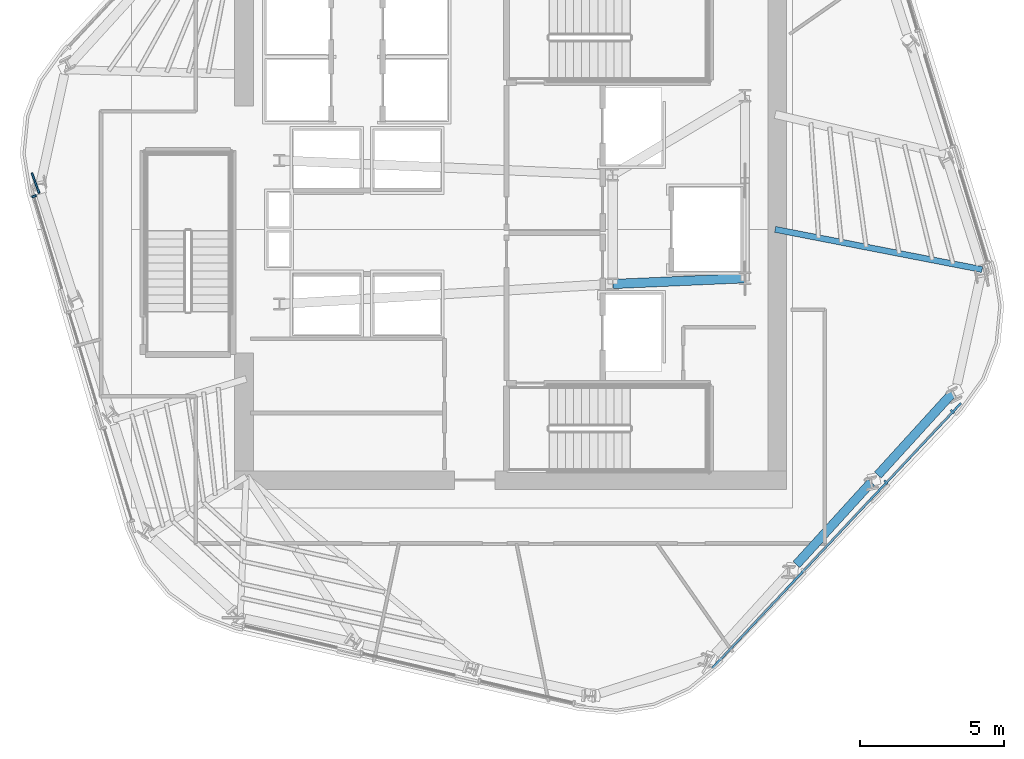
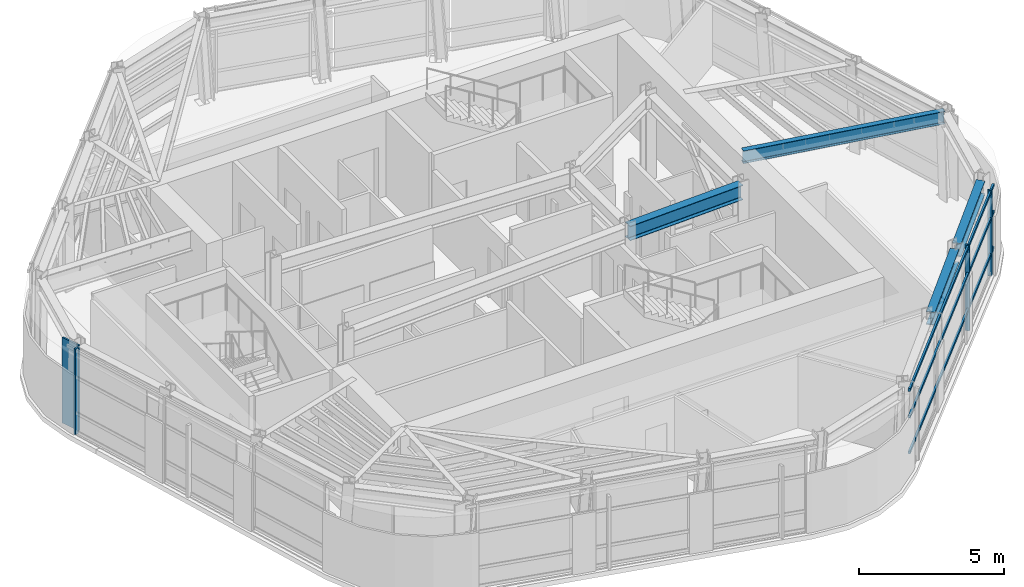
# One storey, part 3 of 13: 7 members, 4 beams, 2 elements without a shape of their own.
"""IFC4 building model written with IfcOpenShell, lengths in metres."""

from ifc_helpers import new_model, si_unit, direction, frame, origin, origin_2d, place, context, subcontext, project, spatial, rectangle, i_section, extrude, material, layer, layer_set, material_profile, profile_set, type_object, element, aggregate, save


model = new_model("IFC4")

# Units and contexts
model_context = context("Model", 3, precision=1e-05, world=origin(), true_north=direction((0.0, 1.0)))
body_context = subcontext(model_context, "Body", "Model", "MODEL_VIEW")
ifc_project = project(units=[si_unit("LENGTHUNIT", "METRE"), si_unit("AREAUNIT", "SQUARE_METRE"), si_unit("VOLUMEUNIT", "CUBIC_METRE"), si_unit("PLANEANGLEUNIT", "RADIAN"), si_unit("MASSUNIT", "GRAM", prefix="KILO")], contexts=[model_context])

# Site, building, storey
site_placement = place(None, origin())
site = spatial("IfcSite", under=ifc_project, at=site_placement, CompositionType="ELEMENT")
building_placement = place(site_placement, origin())
building = spatial("IfcBuilding", under=site, at=building_placement, Name="Valkerne Bourse Tower", CompositionType="ELEMENT")
storey_placement = place(building_placement, frame((0.0, 0.0, 224.60009765625)))
storey = spatial("IfcBuildingStorey", under=building, at=storey_placement, Name="L57", CompositionType="ELEMENT", Elevation=224.60009765625)

# Beams
ifc_material_1 = material(Name="Steel ASTM A992", Category="steel")
ifc_material_profile_1 = material_profile(ifc_material_1, i_section(OverallWidth=0.31494140625, OverallDepth=0.5537109375, WebThickness=0.0166015625, FlangeThickness=0.026123046875, FilletRadius=0.020263671875, at=origin_2d()), Name="W21X132")
ifc_profile_set_1 = profile_set([ifc_material_profile_1], Name="Steel ASTM A992")
beam_type_1 = type_object("IfcBeamType", Name="BM-W21X132", PredefinedType="BEAM", material=ifc_profile_set_1)
for number, where, z_axis, x_axis, name in (
    (1, (56.738525390625, 15.339111328125, 3.322998046875), (0.673030492682, 0.739614734791, 0.0), (-0.739614734791, 0.673030492682, 0.0), "L57 Hexagonal Spandrel Ring Beam 17"),
    (2, (59.5732421875, 18.454345703125, 3.322998046875), (0.672999106682, 0.739643294031, 0.0), (-0.739643294031, 0.672999106682, 0.0), "L57 Hexagonal Spandrel Ring Beam 18"),
):
    element("IfcBeam", number, at=place(storey_placement, frame(where, z_axis=z_axis, x_axis=x_axis)), inside=storey, type_object=beam_type_1, Name=name, PredefinedType="BEAM", context=body_context, shape_type="SweptSolid", body=[
        extrude(i_section(OverallWidth=0.31494140625, OverallDepth=0.5537109375, WebThickness=0.0166015625, FlangeThickness=0.026123046875, FilletRadius=0.020263671875, at=origin_2d()), origin(), (0.0, 0.0, 1.0), 3.8720703125),
    ])
ifc_material_profile_2 = material_profile(ifc_material_1, i_section(OverallWidth=0.209228515625, OverallDepth=0.533447265625, WebThickness=0.01025390625, FlangeThickness=0.015625, FilletRadius=0.017822265625, at=origin_2d()), Name="W21X62")
ifc_profile_set_2 = profile_set([ifc_material_profile_2], Name="Steel ASTM A992")
beam_type_2 = type_object("IfcBeamType", Name="BM-W21X62", PredefinedType="JOIST", material=ifc_profile_set_2)
beam_1_placement = place(storey_placement, frame((63.2001953125, 25.60205078125, 3.333251953125), z_axis=(-0.981668707797, 0.190595246875, 0.0), x_axis=(-0.190595246875, -0.981668707797, 0.0)))
element("IfcBeam", 3, at=beam_1_placement, inside=storey, type_object=beam_type_2, Name="L57 Radial Composite Floor Beam 20", PredefinedType="JOIST", context=body_context, shape_type="SweptSolid", body=[
    extrude(i_section(OverallWidth=0.209228515625, OverallDepth=0.533447265625, WebThickness=0.01025390625, FlangeThickness=0.015625, FilletRadius=0.017822265625, at=origin_2d()), origin(), (0.0, 0.0, 1.0), 7.334716796875),
])
ifc_material_profile_3 = material_profile(ifc_material_1, i_section(OverallWidth=0.3251953125, OverallDepth=0.612060546875, WebThickness=0.0126953125, FlangeThickness=0.01904296875, FilletRadius=0.020263671875, at=origin_2d()), Name="W24X104")
ifc_profile_set_3 = profile_set([ifc_material_profile_3], Name="Steel ASTM A992")
beam_type_3 = type_object("IfcBeamType", Name="BM-W24X104", PredefinedType="BEAM", material=ifc_profile_set_3)
beam_2_placement = place(storey_placement, frame((50.35009765625, 25.10009765625, 3.293701171875), z_axis=(0.999056558506, 0.043428019819, 0.0), x_axis=(-0.043428019819, 0.999056558506, 0.0)))
element("IfcBeam", 4, at=beam_2_placement, inside=storey, type_object=beam_type_3, Name="L57 Core Frame Girder CG-SE", PredefinedType="BEAM", context=body_context, shape_type="SweptSolid", body=[
    extrude(i_section(OverallWidth=0.3251953125, OverallDepth=0.612060546875, WebThickness=0.0126953125, FlangeThickness=0.01904296875, FilletRadius=0.020263671875, at=origin_2d()), origin(), (0.0, 0.0, 1.0), 4.604248046875),
])

# Curtain wall, member
ifc_material_2 = material(Name="Aluminium AA 6063-T6", Category="aluminium")
ifc_layer = layer(ifc_material_2, 0.239990234375)
ifc_layer_set = layer_set([ifc_layer], Name="Aluminium AA 6063-T6")
curtain_wall_type = type_object("IfcCurtainWallType", Name="CW-04", PredefinedType="NOTDEFINED", material=ifc_layer_set)
curtain_wall_1_placement = place(storey_placement, origin())
curtain_wall_1 = element("IfcCurtainWall", 5, at=curtain_wall_1_placement, inside=storey, type_object=curtain_wall_type, Name="L57 Hexagonal Stick Curtain Wall Face 3", PredefinedType="NOTDEFINED")
ifc_material_profile_4 = material_profile(ifc_material_2, rectangle(XDim=0.074951171875, YDim=0.159912109375, at=origin_2d()), Name="CWM-75X160")
ifc_profile_set_4 = profile_set([ifc_material_profile_4], Name="Aluminium AA 6063-T6")
member_type_1 = type_object("IfcMemberType", Name="CW-MUL-160X75", PredefinedType="MULLION", material=ifc_profile_set_4)
member_1_placement = place(storey_placement, frame((30.2197265625, 28.155029296875, 0.0), z_axis=(0.0, 0.0, 1.0), x_axis=(0.289033329904, -0.957319034703, 0.0)))
member_1 = element("IfcMember", 6, at=member_1_placement, type_object=member_type_1, Name="CW-L57-F3 Jamb Mullion 00A", PredefinedType="MULLION", context=body_context, shape_type="SweptSolid", body=[
    extrude(rectangle(XDim=0.074951171875, YDim=0.159912109375, at=origin_2d()), origin(), (0.0, 0.0, 1.0), 3.599853515625),
])
aggregate(curtain_wall_1, [member_1])

# Curtain wall, members
curtain_wall_2_placement = place(storey_placement, origin())
curtain_wall_2 = element("IfcCurtainWall", 7, at=curtain_wall_2_placement, inside=storey, type_object=curtain_wall_type, Name="L57 Hexagonal Stick Curtain Wall Face 5", PredefinedType="NOTDEFINED")
member_2_placement = place(storey_placement, frame((59.8564453125, 18.204345703125, 0.0), z_axis=(0.0, 0.0, 1.0), x_axis=(0.684547419077, 0.728968333355, 0.0)))
member_2 = element("IfcMember", 8, at=member_2_placement, type_object=member_type_1, Name="CW-L57-F5 Jamb Mullion 02A", PredefinedType="MULLION", context=body_context, shape_type="SweptSolid", body=[
    extrude(rectangle(XDim=0.074951171875, YDim=0.159912109375, at=origin_2d()), origin(), (0.0, 0.0, 1.0), 3.599853515625),
])
member_3_placement = place(storey_placement, frame((62.164794921875, 20.66259765625, 0.0), z_axis=(0.0, 0.0, 1.0), x_axis=(0.684547419077, 0.728968333355, 0.0)))
member_3 = element("IfcMember", 9, at=member_3_placement, type_object=member_type_1, Name="CW-L57-F5 Jamb Mullion 02B", PredefinedType="MULLION", context=body_context, shape_type="SweptSolid", body=[
    extrude(rectangle(XDim=0.074951171875, YDim=0.159912109375, at=origin_2d()), origin(), (0.0, 0.0, 1.0), 3.599853515625),
])
ifc_material_profile_5 = material_profile(ifc_material_2, rectangle(XDim=0.074951171875, YDim=0.1201171875, at=origin_2d()), Name="CWT-75X120")
ifc_profile_set_5 = profile_set([ifc_material_profile_5], Name="Aluminium AA 6063-T6")
member_type_2 = type_object("IfcMemberType", Name="CW-TRN-120X75", PredefinedType="USERDEFINED", material=ifc_profile_set_5)
member_4_placement = place(storey_placement, frame((53.81689453125, 11.74365234375, 0.89990234375), z_axis=(0.684538601251, 0.728976613752, 0.0), x_axis=(-0.728976613752, 0.684538601251, 0.0)))
member_4 = element("IfcMember", 10, at=member_4_placement, type_object=member_type_2, Name="CW-L57-F5 Continuous Face Transom 2", ObjectType="TRANSOM", PredefinedType="USERDEFINED", context=body_context, shape_type="SweptSolid", body=[
    extrude(rectangle(XDim=0.074951171875, YDim=0.1201171875, at=origin_2d()), origin(), (0.0, 0.0, 1.0), 12.635986328125),
])
member_5_placement = place(storey_placement, frame((53.81689453125, 11.74365234375, 2.39990234375), z_axis=(0.684538601251, 0.728976613752, 0.0), x_axis=(-0.728976613752, 0.684538601251, 0.0)))
member_5 = element("IfcMember", 11, at=member_5_placement, type_object=member_type_2, Name="CW-L57-F5 Continuous Face Transom 3", ObjectType="TRANSOM", PredefinedType="USERDEFINED", context=body_context, shape_type="SweptSolid", body=[
    extrude(rectangle(XDim=0.074951171875, YDim=0.1201171875, at=origin_2d()), origin(), (0.0, 0.0, 1.0), 12.635986328125),
])
member_6_placement = place(storey_placement, frame((53.81689453125, 11.74365234375, 3.52001953125), z_axis=(0.684538601251, 0.728976613752, 0.0), x_axis=(-0.728976613752, 0.684538601251, 0.0)))
member_6 = element("IfcMember", 12, at=member_6_placement, type_object=member_type_2, Name="CW-L57-F5 Continuous Face Transom 4", ObjectType="TRANSOM", PredefinedType="USERDEFINED", context=body_context, shape_type="SweptSolid", body=[
    extrude(rectangle(XDim=0.074951171875, YDim=0.1201171875, at=origin_2d()), origin(), (0.0, 0.0, 1.0), 12.635986328125),
])
aggregate(curtain_wall_2, [member_4, member_5, member_6, member_2, member_3])

# Member
ifc_material_3 = material(Name="Bronze Anodised Aluminium AA 6063-T6", Category="aluminium")
ifc_material_profile_6 = material_profile(ifc_material_3, rectangle(XDim=0.06494140625, YDim=0.75, at=origin_2d()), Name="FIN-65X750")
ifc_profile_set_6 = profile_set([ifc_material_profile_6], Name="Bronze Anodised Aluminium AA 6063-T6")
member_type_3 = type_object("IfcMemberType", Name="FIN-SOLAR-650", PredefinedType="USERDEFINED", material=ifc_profile_set_6)
member_7_placement = place(storey_placement, frame((30.2705078125, 28.609130859375, 0.00390625), z_axis=(0.0, 0.0, 1.0), x_axis=(-0.940983955945, -0.338451170265, 0.0)))
element("IfcMember", 13, at=member_7_placement, inside=storey, type_object=member_type_3, Name="L57 Bronze Anodised Solar Fin F3-00", ObjectType="SOLAR_FIN", PredefinedType="USERDEFINED", context=body_context, shape_type="SweptSolid", body=[
    extrude(rectangle(XDim=0.06494140625, YDim=0.75, at=origin_2d()), origin(), (0.0, 0.0, 1.0), 3.592041015625),
])

save(model, "model.ifc")
